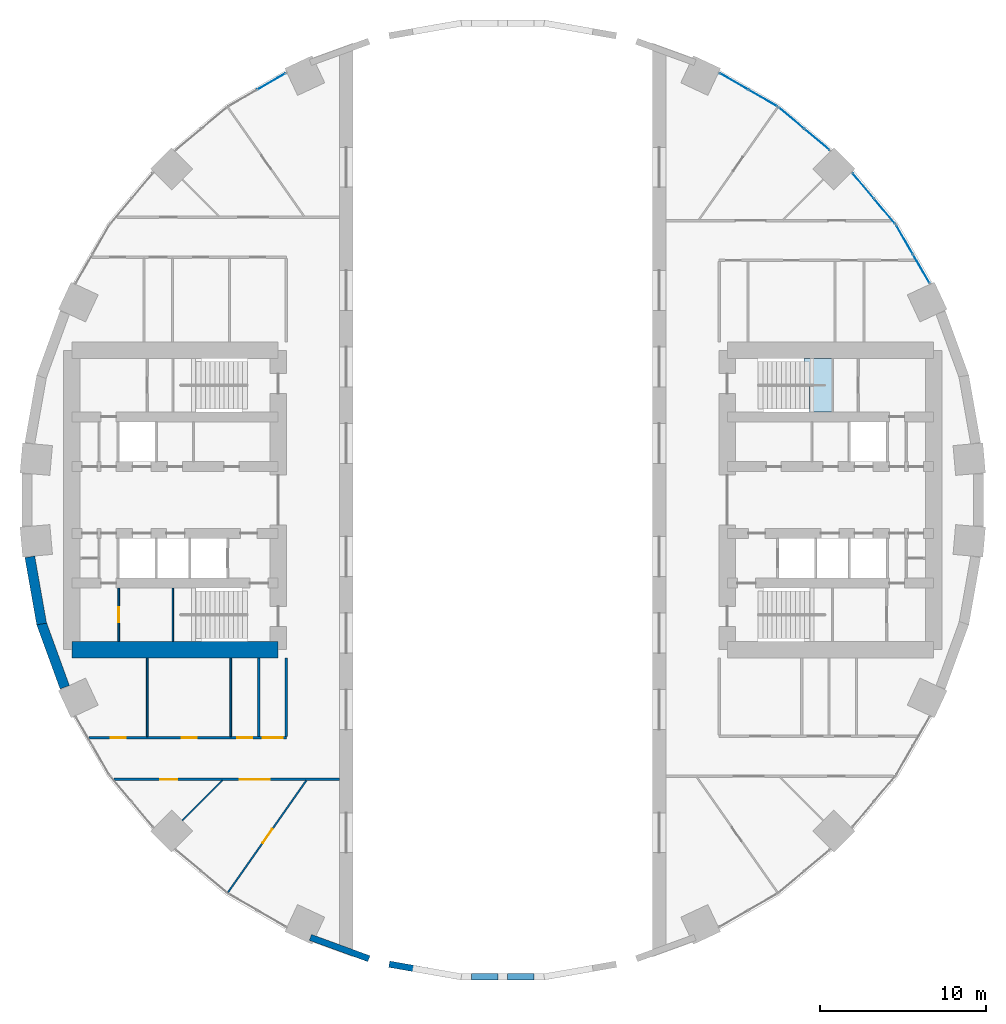
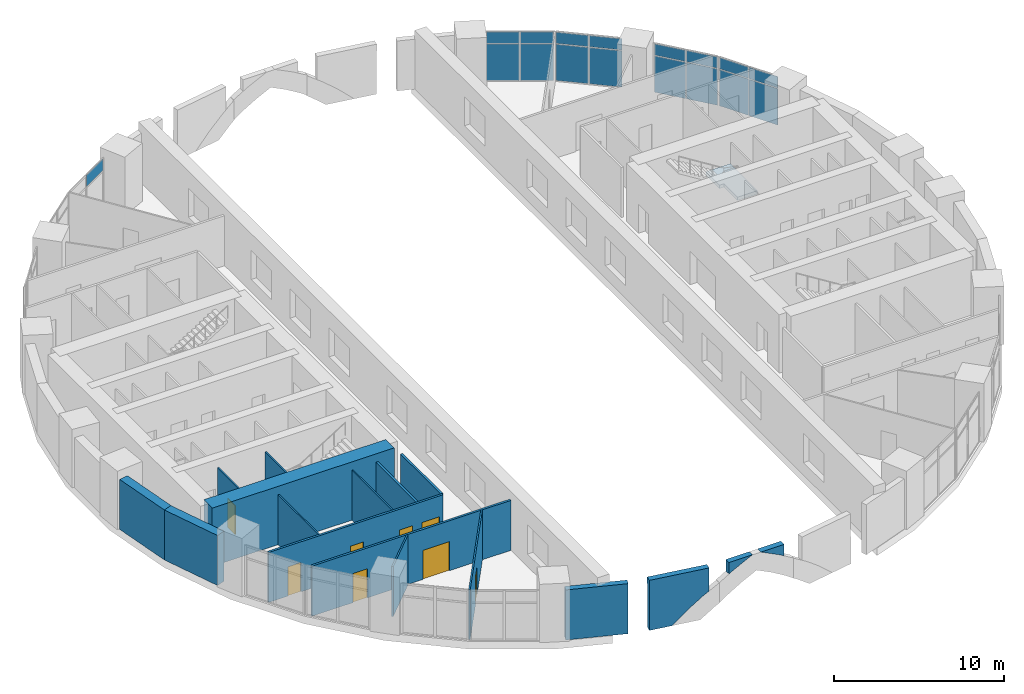
# One storey, part 9 of 15: 17 plates, 17 walls, 8 doors, 1 slab, 8 openings, 6 elements without a shape of their own.
"""IFC4 building model written with IfcOpenShell, lengths in metres."""

from ifc_helpers import new_model, si_unit, direction, frame, frame_2d, origin, origin_2d, place, context, subcontext, project, spatial, polyline, rectangle, outline, extrude, material, layer, layer_set, type_object, element, fill, aggregate, save


model = new_model("IFC4")

# Units and contexts
model_context = context("Model", 3, precision=1e-05, world=origin(), true_north=direction((0.0, 1.0)))
body_context = subcontext(model_context, "Body", "Model", "MODEL_VIEW")
ifc_project = project(units=[si_unit("LENGTHUNIT", "METRE"), si_unit("AREAUNIT", "SQUARE_METRE"), si_unit("VOLUMEUNIT", "CUBIC_METRE"), si_unit("PLANEANGLEUNIT", "RADIAN"), si_unit("MASSUNIT", "GRAM", prefix="KILO")], contexts=[model_context])

# Site, building, storey
site_placement = place(None, origin())
site = spatial("IfcSite", under=ifc_project, at=site_placement, CompositionType="ELEMENT")
building_placement = place(site_placement, origin())
building = spatial("IfcBuilding", under=site, at=building_placement, Name="Saqina Gate Tower", CompositionType="ELEMENT")
storey_placement = place(building_placement, frame((0.0, 0.0, 17.60009765625)))
storey = spatial("IfcBuildingStorey", under=building, at=storey_placement, Name="L04", CompositionType="ELEMENT", Elevation=17.60009765625)

# Curtain wall, plates
ifc_material_1 = material(Name="Aluminium glazing", Category="aluminium")
ifc_layer_1 = layer(ifc_material_1, 0.159912109375)
ifc_layer_set_1 = layer_set([ifc_layer_1], Name="CWT-1")
curtain_wall_type = type_object("IfcCurtainWallType", Name="CWT-1", PredefinedType="NOTDEFINED", material=ifc_layer_set_1)
curtain_wall_1_placement = place(storey_placement, origin())
curtain_wall_1 = element("IfcCurtainWall", 1, at=curtain_wall_1_placement, inside=storey, type_object=curtain_wall_type, Name="Podium shopfront facet 3", PredefinedType="NOTDEFINED")
ifc_material_2 = material(Name="Glass", Category="glass")
ifc_layer_2 = layer(ifc_material_2, 0.028076171875)
ifc_layer_set_2 = layer_set([ifc_layer_2], Name="CWT-1P")
plate_type = type_object("IfcPlateType", Name="CWT-1P", PredefinedType="CURTAIN_PANEL", material=ifc_layer_set_2)
plate_1_placement = place(storey_placement, frame((25.158935546875, 13.90283203125, 0.06005859375), z_axis=(0.0, 0.0, 1.0), x_axis=(-0.500013894893, 0.866017381415, 0.0)))
plate_1 = element("IfcPlate", 2, at=plate_1_placement, type_object=plate_type, Name="CW1-03 panel 1.1", PredefinedType="CURTAIN_PANEL", context=body_context, shape_type="SweptSolid", body=[
    extrude(rectangle(XDim=1.944580078125, YDim=0.028076171875, at=origin_2d()), origin(), (0.0, 0.0, 1.0), 2.610107421875),
])
plate_2_placement = place(storey_placement, frame((25.158935546875, 13.90283203125, 2.72998046875), z_axis=(0.0, 0.0, 1.0), x_axis=(-0.500013894893, 0.866017381415, 0.0)))
plate_2 = element("IfcPlate", 3, at=plate_2_placement, type_object=plate_type, Name="CW1-03 panel 1.2", PredefinedType="CURTAIN_PANEL", context=body_context, shape_type="SweptSolid", body=[
    extrude(rectangle(XDim=1.944580078125, YDim=0.028076171875, at=origin_2d()), origin(), (0.0, 0.0, 1.0), 0.81005859375),
])
plate_3_placement = place(storey_placement, frame((24.15673828125, 15.638671875, 0.06005859375), z_axis=(0.0, 0.0, 1.0), x_axis=(-0.500013894893, 0.866017381415, 0.0)))
plate_3 = element("IfcPlate", 4, at=plate_3_placement, type_object=plate_type, Name="CW1-03 panel 2.1", PredefinedType="CURTAIN_PANEL", context=body_context, shape_type="SweptSolid", body=[
    extrude(rectangle(XDim=1.944580078125, YDim=0.028076171875, at=origin_2d()), origin(), (0.0, 0.0, 1.0), 2.610107421875),
])
plate_4_placement = place(storey_placement, frame((24.15673828125, 15.638671875, 2.72998046875), z_axis=(0.0, 0.0, 1.0), x_axis=(-0.500013894893, 0.866017381415, 0.0)))
plate_4 = element("IfcPlate", 5, at=plate_4_placement, type_object=plate_type, Name="CW1-03 panel 2.2", PredefinedType="CURTAIN_PANEL", context=body_context, shape_type="SweptSolid", body=[
    extrude(rectangle(XDim=1.944580078125, YDim=0.028076171875, at=origin_2d()), origin(), (0.0, 0.0, 1.0), 0.81005859375),
])
aggregate(curtain_wall_1, [plate_1, plate_2, plate_3, plate_4])

curtain_wall_2_placement = place(storey_placement, origin())
curtain_wall_2 = element("IfcCurtainWall", 6, at=curtain_wall_2_placement, inside=storey, type_object=curtain_wall_type, Name="Podium shopfront facet 4", PredefinedType="NOTDEFINED")
plate_5_placement = place(storey_placement, frame((22.957763671875, 17.35107421875, 0.06005859375), z_axis=(0.0, 0.0, 1.0), x_axis=(-0.642779322911, 0.766051396473, 0.0)))
plate_5 = element("IfcPlate", 7, at=plate_5_placement, type_object=plate_type, Name="CW1-04 panel 1.1", PredefinedType="CURTAIN_PANEL", context=body_context, shape_type="SweptSolid", body=[
    extrude(rectangle(XDim=1.944580078125, YDim=0.028076171875, at=origin_2d()), origin(), (0.0, 0.0, 1.0), 2.610107421875),
])
plate_6_placement = place(storey_placement, frame((22.957763671875, 17.35107421875, 2.72998046875), z_axis=(0.0, 0.0, 1.0), x_axis=(-0.642779322911, 0.766051396473, 0.0)))
plate_6 = element("IfcPlate", 8, at=plate_6_placement, type_object=plate_type, Name="CW1-04 panel 1.2", PredefinedType="CURTAIN_PANEL", context=body_context, shape_type="SweptSolid", body=[
    extrude(rectangle(XDim=1.944580078125, YDim=0.028076171875, at=origin_2d()), origin(), (0.0, 0.0, 1.0), 0.81005859375),
])
plate_7_placement = place(storey_placement, frame((21.669189453125, 18.88671875, 0.06005859375), z_axis=(0.0, 0.0, 1.0), x_axis=(-0.642779322911, 0.766051396473, 0.0)))
plate_7 = element("IfcPlate", 9, at=plate_7_placement, type_object=plate_type, Name="CW1-04 panel 2.1", PredefinedType="CURTAIN_PANEL", context=body_context, shape_type="SweptSolid", body=[
    extrude(rectangle(XDim=1.944580078125, YDim=0.028076171875, at=origin_2d()), origin(), (0.0, 0.0, 1.0), 2.610107421875),
])
plate_8_placement = place(storey_placement, frame((21.669189453125, 18.88671875, 2.72998046875), z_axis=(0.0, 0.0, 1.0), x_axis=(-0.642779322911, 0.766051396473, 0.0)))
plate_8 = element("IfcPlate", 10, at=plate_8_placement, type_object=plate_type, Name="CW1-04 panel 2.2", PredefinedType="CURTAIN_PANEL", context=body_context, shape_type="SweptSolid", body=[
    extrude(rectangle(XDim=1.944580078125, YDim=0.028076171875, at=origin_2d()), origin(), (0.0, 0.0, 1.0), 0.81005859375),
])
aggregate(curtain_wall_2, [plate_5, plate_6, plate_7, plate_8])

curtain_wall_3_placement = place(storey_placement, origin())
curtain_wall_3 = element("IfcCurtainWall", 11, at=curtain_wall_3_placement, inside=storey, type_object=curtain_wall_type, Name="Podium shopfront facet 5", PredefinedType="NOTDEFINED")
plate_9_placement = place(storey_placement, frame((18.88671875, 21.669189453125, 0.06005859375), z_axis=(0.0, 0.0, 1.0), x_axis=(-0.766051396473, 0.642779322911, 0.0)))
plate_9 = element("IfcPlate", 12, at=plate_9_placement, type_object=plate_type, Name="CW1-05 panel 1.1", PredefinedType="CURTAIN_PANEL", context=body_context, shape_type="SweptSolid", body=[
    extrude(rectangle(XDim=1.944580078125, YDim=0.028076171875, at=origin_2d()), origin(), (0.0, 0.0, 1.0), 2.610107421875),
])
plate_10_placement = place(storey_placement, frame((18.88671875, 21.669189453125, 2.72998046875), z_axis=(0.0, 0.0, 1.0), x_axis=(-0.766051396473, 0.642779322911, 0.0)))
plate_10 = element("IfcPlate", 13, at=plate_10_placement, type_object=plate_type, Name="CW1-05 panel 1.2", PredefinedType="CURTAIN_PANEL", context=body_context, shape_type="SweptSolid", body=[
    extrude(rectangle(XDim=1.944580078125, YDim=0.028076171875, at=origin_2d()), origin(), (0.0, 0.0, 1.0), 0.81005859375),
])
plate_11_placement = place(storey_placement, frame((17.35107421875, 22.957763671875, 0.06005859375), z_axis=(0.0, 0.0, 1.0), x_axis=(-0.766051396473, 0.642779322911, 0.0)))
plate_11 = element("IfcPlate", 14, at=plate_11_placement, type_object=plate_type, Name="CW1-05 panel 2.1", PredefinedType="CURTAIN_PANEL", context=body_context, shape_type="SweptSolid", body=[
    extrude(rectangle(XDim=1.944580078125, YDim=0.028076171875, at=origin_2d()), origin(), (0.0, 0.0, 1.0), 2.610107421875),
])
plate_12_placement = place(storey_placement, frame((17.35107421875, 22.957763671875, 2.72998046875), z_axis=(0.0, 0.0, 1.0), x_axis=(-0.766051396473, 0.642779322911, 0.0)))
plate_12 = element("IfcPlate", 15, at=plate_12_placement, type_object=plate_type, Name="CW1-05 panel 2.2", PredefinedType="CURTAIN_PANEL", context=body_context, shape_type="SweptSolid", body=[
    extrude(rectangle(XDim=1.944580078125, YDim=0.028076171875, at=origin_2d()), origin(), (0.0, 0.0, 1.0), 0.81005859375),
])
aggregate(curtain_wall_3, [plate_9, plate_10, plate_11, plate_12])

curtain_wall_4_placement = place(storey_placement, origin())
curtain_wall_4 = element("IfcCurtainWall", 16, at=curtain_wall_4_placement, inside=storey, type_object=curtain_wall_type, Name="Podium shopfront facet 6", PredefinedType="NOTDEFINED")
plate_13_placement = place(storey_placement, frame((15.638671875, 24.15673828125, 0.06005859375), z_axis=(0.0, 0.0, 1.0), x_axis=(-0.866017381415, 0.500013894893, 0.0)))
plate_13 = element("IfcPlate", 17, at=plate_13_placement, type_object=plate_type, Name="CW1-06 panel 1.1", PredefinedType="CURTAIN_PANEL", context=body_context, shape_type="SweptSolid", body=[
    extrude(rectangle(XDim=1.944580078125, YDim=0.028076171875, at=origin_2d()), origin(), (0.0, 0.0, 1.0), 2.610107421875),
])
plate_14_placement = place(storey_placement, frame((15.638671875, 24.15673828125, 2.72998046875), z_axis=(0.0, 0.0, 1.0), x_axis=(-0.866017381415, 0.500013894893, 0.0)))
plate_14 = element("IfcPlate", 18, at=plate_14_placement, type_object=plate_type, Name="CW1-06 panel 1.2", PredefinedType="CURTAIN_PANEL", context=body_context, shape_type="SweptSolid", body=[
    extrude(rectangle(XDim=1.944580078125, YDim=0.028076171875, at=origin_2d()), origin(), (0.0, 0.0, 1.0), 0.81005859375),
])
plate_15_placement = place(storey_placement, frame((13.90283203125, 25.158935546875, 0.06005859375), z_axis=(0.0, 0.0, 1.0), x_axis=(-0.866017381415, 0.500013894893, 0.0)))
plate_15 = element("IfcPlate", 19, at=plate_15_placement, type_object=plate_type, Name="CW1-06 panel 2.1", PredefinedType="CURTAIN_PANEL", context=body_context, shape_type="SweptSolid", body=[
    extrude(rectangle(XDim=1.944580078125, YDim=0.028076171875, at=origin_2d()), origin(), (0.0, 0.0, 1.0), 2.610107421875),
])
plate_16_placement = place(storey_placement, frame((13.90283203125, 25.158935546875, 2.72998046875), z_axis=(0.0, 0.0, 1.0), x_axis=(-0.866017381415, 0.500013894893, 0.0)))
plate_16 = element("IfcPlate", 20, at=plate_16_placement, type_object=plate_type, Name="CW1-06 panel 2.2", PredefinedType="CURTAIN_PANEL", context=body_context, shape_type="SweptSolid", body=[
    extrude(rectangle(XDim=1.944580078125, YDim=0.028076171875, at=origin_2d()), origin(), (0.0, 0.0, 1.0), 0.81005859375),
])
aggregate(curtain_wall_4, [plate_13, plate_14, plate_15, plate_16])

# Curtain wall, plate
curtain_wall_5_placement = place(storey_placement, origin())
curtain_wall_5 = element("IfcCurtainWall", 21, at=curtain_wall_5_placement, inside=storey, type_object=curtain_wall_type, Name="Podium shopfront facet 12", PredefinedType="NOTDEFINED")
plate_17_placement = place(storey_placement, frame((-13.90283203125, 25.158935546875, 2.72998046875), z_axis=(0.0, 0.0, 1.0), x_axis=(-0.866017381415, -0.500013894893, 0.0)))
plate_17 = element("IfcPlate", 22, at=plate_17_placement, type_object=plate_type, Name="CW1-12 panel 1.2", PredefinedType="CURTAIN_PANEL", context=body_context, shape_type="SweptSolid", body=[
    extrude(rectangle(XDim=1.944580078125, YDim=0.028076171875, at=origin_2d()), origin(), (0.0, 0.0, 1.0), 0.81005859375),
])
aggregate(curtain_wall_5, [plate_17])

# Stair, slab
ifc_material_3 = material(Name="Concrete C40/50", Category="concrete")
stair_type = type_object("IfcStairType", Name="EXIT STAIR", PredefinedType="HALF_TURN_STAIR", material=ifc_material_3)
stair_placement = place(storey_placement, origin())
stair = element("IfcStair", 23, at=stair_placement, inside=storey, type_object=stair_type, Name="EXIT STAIR 1", PredefinedType="HALF_TURN_STAIR")
ifc_material_4 = material(Name="Concrete C40/50", Category="concrete")
ifc_layer_3 = layer(ifc_material_4, 0.25)
ifc_layer_set_3 = layer_set([ifc_layer_3], Name="Concrete C40/50")
slab_type = type_object("IfcSlabType", Name="EXIT STAIR LANDING", PredefinedType="LANDING", material=ifc_layer_set_3)
slab_placement = place(storey_placement, frame((0.0, 0.0, 1.849853515625)))
slab = element("IfcSlab", 24, at=slab_placement, type_object=slab_type, Name="EXIT STAIR 1 LANDING 1", PredefinedType="LANDING", context=body_context, shape_type="SweptSolid", body=[
    extrude(outline(polyline([(19.780029296875, 8.5), (19.780029296875, 5.300048828125), (18.425048828125, 5.300048828125), (18.425048828125, 6.89990234375), (18.10693359375, 6.89990234375), (18.10693359375, 8.5), (18.425048828125, 8.5), (18.429931640625, 8.5), (19.780029296875, 8.5)])), origin(), (0.0, 0.0, 1.0), 0.25),
])
aggregate(stair, [slab])

# Wall, opening, door
ifc_material_5 = material(Name="Gypsum board on steel studs", Category="steel")
ifc_layer_4 = layer(ifc_material_5, 0.10009765625)
ifc_layer_set_4 = layer_set([ifc_layer_4], Name="CORE PARTITION")
wall_type_1 = type_object("IfcWallType", Name="CORE PARTITION", PredefinedType="PARTITIONING", material=ifc_layer_set_4)
wall_1_placement = place(storey_placement, frame((-23.08154296875, -8.5, 0.0), z_axis=(0.0, 0.0, 1.0), x_axis=(0.0, 1.0, 0.0)))
wall_1 = element("IfcWall", 25, at=wall_1_placement, inside=storey, type_object=wall_type_1, Name="L04-CP-W14", PredefinedType="PARTITIONING", context=body_context, shape_type="SweptSolid", body=[
    extrude(rectangle(XDim=3.199951171875, YDim=0.10009765625, at=frame_2d((1.60009765625, 0.0))), origin(), (0.0, 0.0, 1.0), 3.599853515625),
])
opening_1_placement = place(wall_1_placement, frame((1.14990234375, 0.0, 0.0)))
opening_1 = element("IfcOpeningElement", 26, at=opening_1_placement, cuts=wall_1, Name="Opening L04-D116", PredefinedType="OPENING", context=body_context, shape_type="SweptSolid", body=[
    extrude(rectangle(XDim=0.89990234375, YDim=2.10009765625, at=frame_2d((0.449951171875, 1.050048828125))), frame((0.0, 0.06201171875, 0.0), z_axis=(0.0, -1.0, 0.0), x_axis=(1.0, 0.0, 0.0)), (0.0, 0.0, 1.0), 0.1240234375),
])
ifc_material_6 = material(Name="Steel-framed fire door leaf, EI 60", Category="steel")
door_type_1 = type_object("IfcDoorType", Name="SERVICE ROOM DOOR 900", OperationType="SINGLE_SWING_LEFT", PredefinedType="DOOR", material=ifc_material_6)
door_1_placement = place(opening_1_placement, frame((0.89990234375, 0.0, 0.0), z_axis=(0.0, 0.0, 1.0), x_axis=(-1.0, 0.0, 0.0)))
door_1 = element("IfcDoor", 27, at=door_1_placement, inside=storey, type_object=door_type_1, Name="L04-CD-W27", OperationType="SINGLE_SWING_RIGHT", OverallHeight=2.10009765625, OverallWidth=0.89990234375, PredefinedType="DOOR", context=body_context, shape_type="SweptSolid", body=[
    extrude(rectangle(XDim=0.89990234375, YDim=2.10009765625, at=frame_2d((0.449951171875, 1.050048828125))), frame((0.0, 0.02490234375, 0.0), z_axis=(0.0, -1.0, 0.0), x_axis=(1.0, 0.0, 0.0)), (0.0, 0.0, 1.0), 0.050048828125),
])
fill(opening_1, door_1)

# Walls
ifc_material_7 = material(Name="Glazed ceramic tile", Category="ceramic")
ifc_layer_5 = layer(ifc_material_7, 0.3798828125)
ifc_layer_set_5 = layer_set([ifc_layer_5], Name="FW-ARCH")
wall_type_2 = type_object("IfcWallType", Name="FW-ARCH", PredefinedType="SOLIDWALL", material=ifc_layer_set_5)
wall_2_placement = place(storey_placement, frame((-11.628662109375, -26.473876953125, 0.0), z_axis=(-0.342019741746, -0.939690603584, 0.002016380761), x_axis=(0.00067819462, 0.001898944936, 0.999997967028)))
element("IfcWall", 28, at=wall_2_placement, inside=storey, type_object=wall_type_2, Name="Arch frame wall L04 facet 25", PredefinedType="SOLIDWALL", context=body_context, shape_type="SweptSolid", body=[
    extrude(outline(polyline([(0.0, 0.0), (3.5998608340411793, -1.4230153513872246e-19), (3.599815201610212, -3.745407351597063), (-4.563243096721795e-05, -3.745407351597063), (0.0, 0.0)])), origin(), (0.0, 0.0, -1.0), 0.3798828125),
])
wall_3_placement = place(storey_placement, frame((-6.854736328125, -28.0908203125, 0.0), z_axis=(-0.173672690752, -0.984801379136, 0.002010009421), x_axis=(0.000341570614, 0.001980789136, 0.9999979799)))
element("IfcWall", 29, at=wall_3_placement, inside=storey, type_object=wall_type_2, Name="Arch frame wall L04 facet 26", PredefinedType="SOLIDWALL", context=body_context, shape_type="SweptSolid", body=[
    extrude(outline(polyline([(0.0, 0.0), (3.5998606846587617, 1.0164395367051604e-20), (3.5998322731805805, -3.74537946137075), (1.937719318749974, -3.7454795278198993), (1.6879658116878937, -3.3801436842777988), (0.9457840956951467, -2.444287990575443), (0.13939246083521384, -1.5642670981338844), (-1.0861217886121014e-05, -1.4326541737841376), (0.0, 0.0)])), origin(), (0.0, 0.0, -1.0), 0.3798828125),
])
wall_4_placement = place(storey_placement, frame((1.87255859375, -28.84716796875, 3.599853515625), z_axis=(9.2707463e-05, -0.999997459505, 0.002252196414), x_axis=(1.6571e-08, -0.002252196422, -0.999997463802)))
element("IfcWall", 30, at=wall_4_placement, inside=storey, type_object=wall_type_2, Name="Arch frame wall L04 facet 27", PredefinedType="SOLIDWALL", context=body_context, shape_type="SweptSolid", body=[
    extrude(outline(polyline([(0.0, 0.0), (0.8242205085868971, 2.6469779601696886e-23), (0.6374528490739871, -0.3146972775403867), (-2.633265349742347e-08, -1.589111321296053), (0.0, 0.0)])), origin(), (0.0, 0.0, -1.0), 0.3798828125),
])
wall_5_placement = place(storey_placement, frame((-1.872802734375, -28.84716796875, 3.599853515625), z_axis=(-9.2681469e-05, -0.999997459559, 0.00225217375), x_axis=(0.999999995705, -9.2681234e-05, 2.08735e-07)))
element("IfcWall", 31, at=wall_5_placement, inside=storey, type_object=wall_type_2, Name="Arch frame wall L04 facet 27", PredefinedType="SOLIDWALL", context=body_context, shape_type="SweptSolid", body=[
    extrude(outline(polyline([(0.0, 0.0), (1.5893554619238337, 0.0), (0.3149414076026505, -0.6374528542880732), (-1.3652332642722971e-08, -0.8242205085902359), (0.0, 0.0)])), origin(), (0.0, 0.0, -1.0), 0.3798828125),
])
ifc_material_8 = material(Name="Glazed ceramic tile", Category="ceramic")
ifc_layer_6 = layer(ifc_material_8, 0.60009765625)
ifc_layer_set_6 = layer_set([ifc_layer_6], Name="FW-TILE")
wall_type_3 = type_object("IfcWallType", Name="FW-TILE", PredefinedType="SOLIDWALL", material=ifc_layer_set_6)
wall_6_placement = place(storey_placement, frame((-28.42822265625, -3.416748046875, 0.0), z_axis=(0.0, 0.0, 1.0), x_axis=(0.173673210505, -0.984803338719, 0.0)))
element("IfcWall", 32, at=wall_6_placement, inside=storey, type_object=wall_type_3, Name="Facade wall L04 facet 19", PredefinedType="SOLIDWALL", context=body_context, shape_type="SweptSolid", body=[
    extrude(rectangle(XDim=4.09912109375, YDim=0.60009765625, at=frame_2d((2.049560546875, 0.0))), origin(), (0.0, 0.0, 1.0), 3.599853515625),
])
ifc_material_9 = material(Name="Glazed ceramic tile (white)", Category="ceramic")
ifc_layer_7 = layer(ifc_material_9, 0.60009765625)
ifc_layer_set_7 = layer_set([ifc_layer_7], Name="FW-TILE-WH")
wall_type_4 = type_object("IfcWallType", Name="FW-TILE-WH", PredefinedType="SOLIDWALL", material=ifc_layer_set_7)
wall_7_placement = place(storey_placement, frame((-27.72998046875, -7.403076171875, 0.0), z_axis=(0.0, 0.0, 1.0), x_axis=(0.342034744565, -0.939687306241, 0.0)))
element("IfcWall", 33, at=wall_7_placement, inside=storey, type_object=wall_type_4, Name="Facade wall L04 facet 20", PredefinedType="SOLIDWALL", context=body_context, shape_type="SweptSolid", body=[
    extrude(rectangle(XDim=4.099365234375, YDim=0.60009765625, at=frame_2d((2.0498046875, 0.0))), origin(), (0.0, 0.0, 1.0), 3.599853515625),
])
ifc_material_10 = material(Name="Gypsum board on steel studs, 100 mm", Category="steel")
ifc_layer_8 = layer(ifc_material_10, 0.10009765625)
ifc_layer_set_8 = layer_set([ifc_layer_8], Name="SPECIAL PARTITION 100")
wall_type_5 = type_object("IfcWallType", Name="SPECIAL PARTITION 100", PredefinedType="PARTITIONING", material=ifc_layer_set_8)
wall_8_placement = place(storey_placement, frame((-19.26171875, -19.26171875, 0.0), z_axis=(0.0, 0.0, 1.0), x_axis=(0.707106781187, 0.707106781187, 0.0)))
element("IfcWall", 34, at=wall_8_placement, inside=storey, type_object=wall_type_5, Name="PARTITION 013", PredefinedType="PARTITIONING", context=body_context, shape_type="SweptSolid", body=[
    extrude(rectangle(XDim=3.406494140625, YDim=0.10009765625, at=frame_2d((1.703125, 0.0))), origin(), (0.0, 0.0, 1.0), 3.599853515625),
])

# Wall, opening, door
wall_9_placement = place(storey_placement, frame((-16.51904296875, -23.591064453125, 0.0), z_axis=(0.0, 0.0, 1.0), x_axis=(0.573651788308, 0.819099277115, 0.0)))
wall_9 = element("IfcWall", 35, at=wall_9_placement, inside=storey, type_object=wall_type_5, Name="PARTITION 015", PredefinedType="PARTITIONING", context=body_context, shape_type="SweptSolid", body=[
    extrude(rectangle(XDim=8.216064453125, YDim=0.10009765625, at=frame_2d((4.10791015625, 0.0))), origin(), (0.0, 0.0, 1.0), 3.599853515625),
])
opening_2_placement = place(wall_9_placement, frame((3.6455078125, 0.0, 0.0)))
opening_2 = element("IfcOpeningElement", 36, at=opening_2_placement, cuts=wall_9, Name="Opening L04-D21", PredefinedType="OPENING", context=body_context, shape_type="SweptSolid", body=[
    extrude(rectangle(XDim=1.0, YDim=2.10009765625, at=frame_2d((0.5, 1.050048828125))), frame((0.0, 0.06201171875, 0.0), z_axis=(0.0, -1.0, 0.0), x_axis=(1.0, 0.0, 0.0)), (0.0, 0.0, 1.0), 0.1240234375),
])
ifc_material_11 = material(Name="Timber door leaf", Category="wood")
door_type_2 = type_object("IfcDoorType", Name="SPECIAL DOOR 1000 TIMBER", OperationType="SINGLE_SWING_LEFT", PredefinedType="DOOR", material=ifc_material_11)
door_2_placement = place(opening_2_placement, frame((1.0, 0.0, 0.0), z_axis=(0.0, 0.0, 1.0), x_axis=(-1.0, 0.0, 0.0)))
door_2 = element("IfcDoor", 37, at=door_2_placement, inside=storey, type_object=door_type_2, Name="DOOR L04-D21", OperationType="SINGLE_SWING_LEFT", OverallHeight=2.10009765625, OverallWidth=1.0, PredefinedType="DOOR", context=body_context, shape_type="SweptSolid", body=[
    extrude(rectangle(XDim=1.0, YDim=2.10009765625, at=frame_2d((0.5, 1.050048828125))), frame((0.0, 0.02490234375, 0.0), z_axis=(0.0, -1.0, 0.0), x_axis=(1.0, 0.0, 0.0)), (0.0, 0.0, 1.0), 0.050048828125),
])
fill(opening_2, door_2)

# Walls
for number, where, z_axis, x_axis, name in (
    (38, (-16.346923828125, -14.22509765625, 0.0), (0.0, 0.0, 1.0), (0.0, 1.0, 0.0), "PARTITION 028"),
    (39, (-21.366943359375, -14.22509765625, 0.0), (0.0, 0.0, 1.0), (0.0, 1.0, 0.0), "PARTITION 031"),
):
    element("IfcWall", number, at=place(storey_placement, frame(where, z_axis=z_axis, x_axis=x_axis)), inside=storey, type_object=wall_type_5, Name=name, PredefinedType="PARTITIONING", context=body_context, shape_type="SweptSolid", body=[
        extrude(rectangle(XDim=4.72509765625, YDim=0.10009765625, at=frame_2d((2.362548828125, 0.0))), origin(), (0.0, 0.0, 1.0), 3.599853515625),
    ])

# Wall, openings, doors
ifc_material_12 = material(Name="Gypsum board on steel studs, 150 mm, fire rated", Category="steel")
ifc_layer_9 = layer(ifc_material_12, 0.14990234375)
ifc_layer_set_9 = layer_set([ifc_layer_9], Name="SPECIAL PARTITION EI 30 150")
wall_type_6 = type_object("IfcWallType", Name="SPECIAL PARTITION EI 30 150", PredefinedType="PARTITIONING", material=ifc_layer_set_9)
wall_10_placement = place(storey_placement, frame((-23.35498046875, -16.800048828125, 0.0), z_axis=(0.0, 0.0, 1.0), x_axis=(1.0, 0.0, 0.0)))
wall_10 = element("IfcWall", 40, at=wall_10_placement, inside=storey, type_object=wall_type_6, Name="PARTITION 005", PredefinedType="PARTITIONING", context=body_context, shape_type="SweptSolid", body=[
    extrude(rectangle(XDim=13.554931640625, YDim=0.14990234375, at=frame_2d((6.77734375, 0.0))), origin(), (0.0, 0.0, 1.0), 3.599853515625),
])
opening_3_placement = place(wall_10_placement, frame((2.777587890625, 0.0, 0.0)))
opening_3 = element("IfcOpeningElement", 41, at=opening_3_placement, cuts=wall_10, Name="Opening L04-D17", PredefinedType="OPENING", context=body_context, shape_type="SweptSolid", body=[
    extrude(rectangle(XDim=1.0, YDim=2.10009765625, at=frame_2d((0.5, 1.050048828125))), frame((0.0, 0.0869140625, 0.0), z_axis=(0.0, -1.0, 0.0), x_axis=(1.0, 0.0, 0.0)), (0.0, 0.0, 1.0), 0.173828125),
])
opening_4_placement = place(wall_10_placement, frame((7.556884765625, 0.0, 0.0)))
opening_4 = element("IfcOpeningElement", 42, at=opening_4_placement, cuts=wall_10, Name="Opening L04-D20", PredefinedType="OPENING", context=body_context, shape_type="SweptSolid", body=[
    extrude(rectangle(XDim=1.800048828125, YDim=2.10009765625, at=frame_2d((0.89990234375, 1.050048828125))), frame((0.0, 0.0869140625, 0.0), z_axis=(0.0, -1.0, 0.0), x_axis=(1.0, 0.0, 0.0)), (0.0, 0.0, 1.0), 0.173828125),
])
ifc_material_13 = material(Name="Steel-framed fire door leaf, EI 30", Category="steel")
door_type_3 = type_object("IfcDoorType", Name="SPECIAL DOOR 1000 FIRE EI 30", OperationType="SINGLE_SWING_LEFT", PredefinedType="DOOR", material=ifc_material_13)
door_3_placement = place(opening_3_placement, frame((1.0, 0.0, 0.0), z_axis=(0.0, 0.0, 1.0), x_axis=(-1.0, 0.0, 0.0)))
door_3 = element("IfcDoor", 43, at=door_3_placement, inside=storey, type_object=door_type_3, Name="DOOR L04-D17", OperationType="SINGLE_SWING_RIGHT", OverallHeight=2.10009765625, OverallWidth=1.0, PredefinedType="DOOR", context=body_context, shape_type="SweptSolid", body=[
    extrude(rectangle(XDim=1.0, YDim=2.10009765625, at=frame_2d((0.5, 1.050048828125))), frame((0.0, 0.02490234375, 0.0), z_axis=(0.0, -1.0, 0.0), x_axis=(1.0, 0.0, 0.0)), (0.0, 0.0, 1.0), 0.050048828125),
])
fill(opening_3, door_3)
ifc_material_14 = material(Name="Steel-framed fire door leaf, EI 30", Category="steel")
door_type_4 = type_object("IfcDoorType", Name="SPECIAL DOUBLE DOOR 1800 FIRE EI 30", OperationType="DOUBLE_DOOR_SINGLE_SWING", PredefinedType="DOOR", material=ifc_material_14)
door_4_placement = place(opening_4_placement, frame((1.800048828125, 0.0, 0.0), z_axis=(0.0, 0.0, 1.0), x_axis=(-1.0, 0.0, 0.0)))
door_4 = element("IfcDoor", 44, at=door_4_placement, inside=storey, type_object=door_type_4, Name="DOOR L04-D20", OperationType="DOUBLE_DOOR_SINGLE_SWING", OverallHeight=2.10009765625, OverallWidth=1.800048828125, PredefinedType="DOOR", context=body_context, shape_type="SweptSolid", body=[
    extrude(rectangle(XDim=1.800048828125, YDim=2.10009765625, at=frame_2d((0.89990234375, 1.050048828125))), frame((0.0, 0.02490234375, 0.0), z_axis=(0.0, -1.0, 0.0), x_axis=(1.0, 0.0, 0.0)), (0.0, 0.0, 1.0), 0.050048828125),
])
fill(opening_4, door_4)

ifc_material_15 = material(Name="Masonry block and plaster, 150 mm, fire rated", Category="masonry")
ifc_layer_10 = layer(ifc_material_15, 0.14990234375)
ifc_layer_set_10 = layer_set([ifc_layer_10], Name="SPECIAL PARTITION EI 60 150")
wall_type_7 = type_object("IfcWallType", Name="SPECIAL PARTITION EI 60 150", PredefinedType="PARTITIONING", material=ifc_layer_set_10)
wall_11_placement = place(storey_placement, frame((-24.8720703125, -14.300048828125, 0.0), z_axis=(0.0, 0.0, 1.0), x_axis=(1.0, 0.0, 0.0)))
wall_11 = element("IfcWall", 45, at=wall_11_placement, inside=storey, type_object=wall_type_7, Name="PARTITION 007", PredefinedType="PARTITIONING", context=body_context, shape_type="SweptSolid", body=[
    extrude(rectangle(XDim=11.8720703125, YDim=0.14990234375, at=frame_2d((5.93603515625, 0.0))), origin(), (0.0, 0.0, 1.0), 3.599853515625),
])
opening_5_placement = place(wall_11_placement, frame((1.302490234375, 0.0, 0.0)))
opening_5 = element("IfcOpeningElement", 46, at=opening_5_placement, cuts=wall_11, Name="Opening L04-D15", PredefinedType="OPENING", context=body_context, shape_type="SweptSolid", body=[
    extrude(rectangle(XDim=0.89990234375, YDim=2.10009765625, at=frame_2d((0.449951171875, 1.050048828125))), frame((0.0, 0.0869140625, 0.0), z_axis=(0.0, -1.0, 0.0), x_axis=(1.0, 0.0, 0.0)), (0.0, 0.0, 1.0), 0.173828125),
])
opening_6_placement = place(wall_11_placement, frame((5.56494140625, 0.0, 0.0)))
opening_6 = element("IfcOpeningElement", 47, at=opening_6_placement, cuts=wall_11, Name="Opening L04-D16", PredefinedType="OPENING", context=body_context, shape_type="SweptSolid", body=[
    extrude(rectangle(XDim=0.89990234375, YDim=2.10009765625, at=frame_2d((0.449951171875, 1.050048828125))), frame((0.0, 0.0869140625, 0.0), z_axis=(0.0, -1.0, 0.0), x_axis=(1.0, 0.0, 0.0)), (0.0, 0.0, 1.0), 0.173828125),
])
opening_7_placement = place(wall_11_placement, frame((8.912109375, 0.0, 0.0)))
opening_7 = element("IfcOpeningElement", 48, at=opening_7_placement, cuts=wall_11, Name="Opening L04-D18", PredefinedType="OPENING", context=body_context, shape_type="SweptSolid", body=[
    extrude(rectangle(XDim=0.89990234375, YDim=2.10009765625, at=frame_2d((0.449951171875, 1.050048828125))), frame((0.0, 0.0869140625, 0.0), z_axis=(0.0, -1.0, 0.0), x_axis=(1.0, 0.0, 0.0)), (0.0, 0.0, 1.0), 0.173828125),
])
opening_8_placement = place(wall_11_placement, frame((10.435546875, 0.0, 0.0)))
opening_8 = element("IfcOpeningElement", 49, at=opening_8_placement, cuts=wall_11, Name="Opening L04-D19", PredefinedType="OPENING", context=body_context, shape_type="SweptSolid", body=[
    extrude(rectangle(XDim=1.199951171875, YDim=2.10009765625, at=frame_2d((0.60009765625, 1.050048828125))), frame((0.0, 0.0869140625, 0.0), z_axis=(0.0, -1.0, 0.0), x_axis=(1.0, 0.0, 0.0)), (0.0, 0.0, 1.0), 0.173828125),
])
ifc_material_16 = material(Name="Steel-framed fire door leaf, EI 60", Category="steel")
door_type_5 = type_object("IfcDoorType", Name="SPECIAL DOOR 1200 FIRE EI 60", OperationType="SINGLE_SWING_LEFT", PredefinedType="DOOR", material=ifc_material_16)
door_5_placement = place(opening_8_placement, origin())
door_5 = element("IfcDoor", 50, at=door_5_placement, inside=storey, type_object=door_type_5, Name="DOOR L04-D19", OperationType="SINGLE_SWING_RIGHT", OverallHeight=2.10009765625, OverallWidth=1.199951171875, PredefinedType="DOOR", context=body_context, shape_type="SweptSolid", body=[
    extrude(rectangle(XDim=1.199951171875, YDim=2.10009765625, at=frame_2d((0.60009765625, 1.050048828125))), frame((0.0, 0.02490234375, 0.0), z_axis=(0.0, -1.0, 0.0), x_axis=(1.0, 0.0, 0.0)), (0.0, 0.0, 1.0), 0.050048828125),
])
fill(opening_8, door_5)
ifc_material_17 = material(Name="Steel-framed fire door leaf, EI 60", Category="steel")
door_type_6 = type_object("IfcDoorType", Name="SPECIAL DOOR 900 FIRE EI 60", OperationType="SINGLE_SWING_LEFT", PredefinedType="DOOR", material=ifc_material_17)
door_6_placement = place(opening_5_placement, origin())
door_6 = element("IfcDoor", 51, at=door_6_placement, inside=storey, type_object=door_type_6, Name="DOOR L04-D15", OperationType="SINGLE_SWING_LEFT", OverallHeight=2.10009765625, OverallWidth=0.89990234375, PredefinedType="DOOR", context=body_context, shape_type="SweptSolid", body=[
    extrude(rectangle(XDim=0.89990234375, YDim=2.10009765625, at=frame_2d((0.449951171875, 1.050048828125))), frame((0.0, 0.02490234375, 0.0), z_axis=(0.0, -1.0, 0.0), x_axis=(1.0, 0.0, 0.0)), (0.0, 0.0, 1.0), 0.050048828125),
])
fill(opening_5, door_6)
door_7_placement = place(opening_6_placement, origin())
door_7 = element("IfcDoor", 52, at=door_7_placement, inside=storey, type_object=door_type_6, Name="DOOR L04-D16", OperationType="SINGLE_SWING_RIGHT", OverallHeight=2.10009765625, OverallWidth=0.89990234375, PredefinedType="DOOR", context=body_context, shape_type="SweptSolid", body=[
    extrude(rectangle(XDim=0.89990234375, YDim=2.10009765625, at=frame_2d((0.449951171875, 1.050048828125))), frame((0.0, 0.02490234375, 0.0), z_axis=(0.0, -1.0, 0.0), x_axis=(1.0, 0.0, 0.0)), (0.0, 0.0, 1.0), 0.050048828125),
])
fill(opening_6, door_7)
door_8_placement = place(opening_7_placement, origin())
door_8 = element("IfcDoor", 53, at=door_8_placement, inside=storey, type_object=door_type_6, Name="DOOR L04-D18", OperationType="SINGLE_SWING_RIGHT", OverallHeight=2.10009765625, OverallWidth=0.89990234375, PredefinedType="DOOR", context=body_context, shape_type="SweptSolid", body=[
    extrude(rectangle(XDim=0.89990234375, YDim=2.10009765625, at=frame_2d((0.449951171875, 1.050048828125))), frame((0.0, 0.02490234375, 0.0), z_axis=(0.0, -1.0, 0.0), x_axis=(1.0, 0.0, 0.0)), (0.0, 0.0, 1.0), 0.050048828125),
])
fill(opening_7, door_8)

# Walls
for number, where, z_axis, x_axis, name in (
    (54, (-13.0, -14.22509765625, 0.0), (0.0, 0.0, 1.0), (0.0, 1.0, 0.0), "PARTITION 025"),
    (55, (-14.673095703125, -14.22509765625, 0.0), (0.0, 0.0, 1.0), (0.0, 1.0, 0.0), "PARTITION 027"),
):
    element("IfcWall", number, at=place(storey_placement, frame(where, z_axis=z_axis, x_axis=x_axis)), inside=storey, type_object=wall_type_7, Name=name, PredefinedType="PARTITIONING", context=body_context, shape_type="SweptSolid", body=[
        extrude(rectangle(XDim=4.72509765625, YDim=0.14990234375, at=frame_2d((2.362548828125, 0.0))), origin(), (0.0, 0.0, 1.0), 3.599853515625),
    ])
ifc_material_18 = material(Name="Autoclaved aerated concrete block", Category="concrete")
ifc_layer_11 = layer(ifc_material_18, 0.10009765625)
ifc_layer_set_11 = layer_set([ifc_layer_11], Name="STAIR ENCLOSURE WALL")
wall_type_8 = type_object("IfcWallType", Name="STAIR ENCLOSURE WALL", PredefinedType="PARTITIONING", material=ifc_layer_set_11)
wall_12_placement = place(storey_placement, frame((-19.830078125, -8.5, 0.0), z_axis=(0.0, 0.0, 1.0), x_axis=(0.0, 1.0, 0.0)))
element("IfcWall", 56, at=wall_12_placement, inside=storey, type_object=wall_type_8, Name="L04-CP-W13", PredefinedType="PARTITIONING", context=body_context, shape_type="SweptSolid", body=[
    extrude(rectangle(XDim=3.199951171875, YDim=0.10009765625, at=frame_2d((1.60009765625, 0.0))), origin(), (0.0, 0.0, 1.0), 3.599853515625),
])
ifc_material_19 = material(Name="Concrete C70/85", Category="concrete")
ifc_layer_12 = layer(ifc_material_19, 1.0)
ifc_layer_set_12 = layer_set([ifc_layer_12], Name="Concrete C70/85")
wall_type_9 = type_object("IfcWallType", Name="STR-CORE WALL-P-O", PredefinedType="SHEAR", material=ifc_layer_set_12)
wall_13_placement = place(storey_placement, frame((-13.5, -9.0, 0.0), z_axis=(0.0, 0.0, 1.0), x_axis=(-1.0, 0.0, 0.0)))
element("IfcWall", 57, at=wall_13_placement, inside=storey, type_object=wall_type_9, Name="CORE WALL L04 W-SE", PredefinedType="SHEAR", context=body_context, shape_type="SweptSolid", body=[
    extrude(rectangle(XDim=12.39990234375, YDim=1.0, at=frame_2d((6.199951171875, 0.0))), origin(), (0.0, 0.0, 1.0), 4.199951171875),
])

save(model, "model.ifc")
